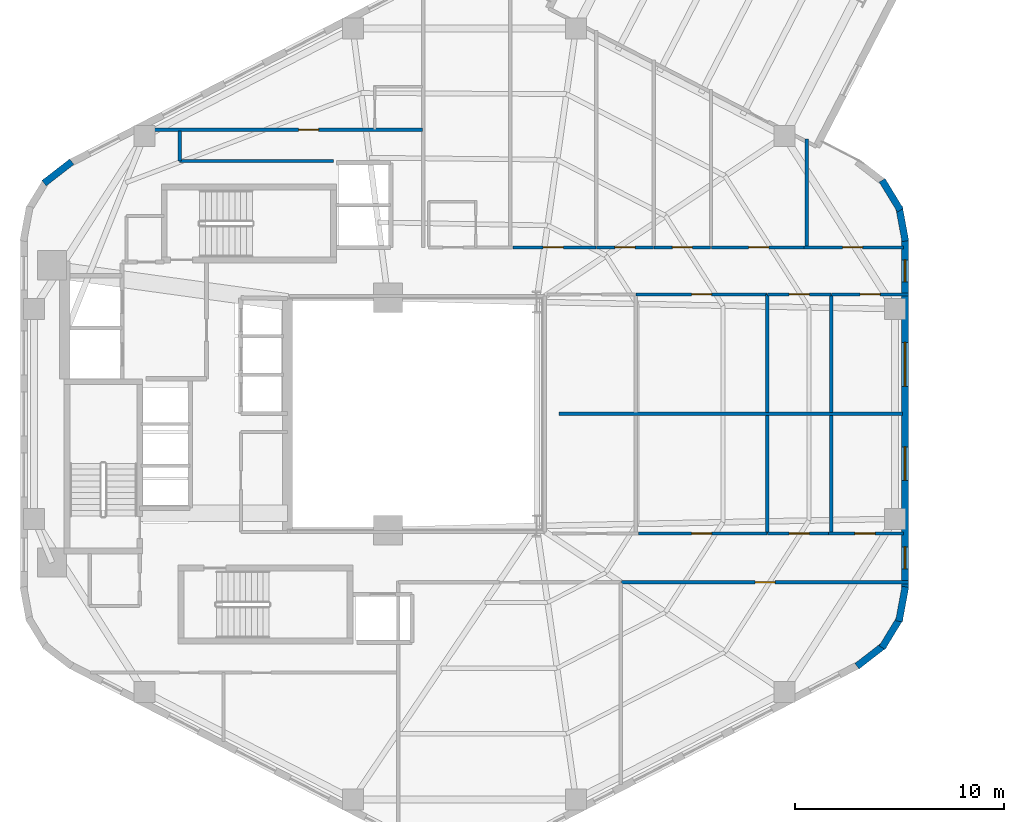
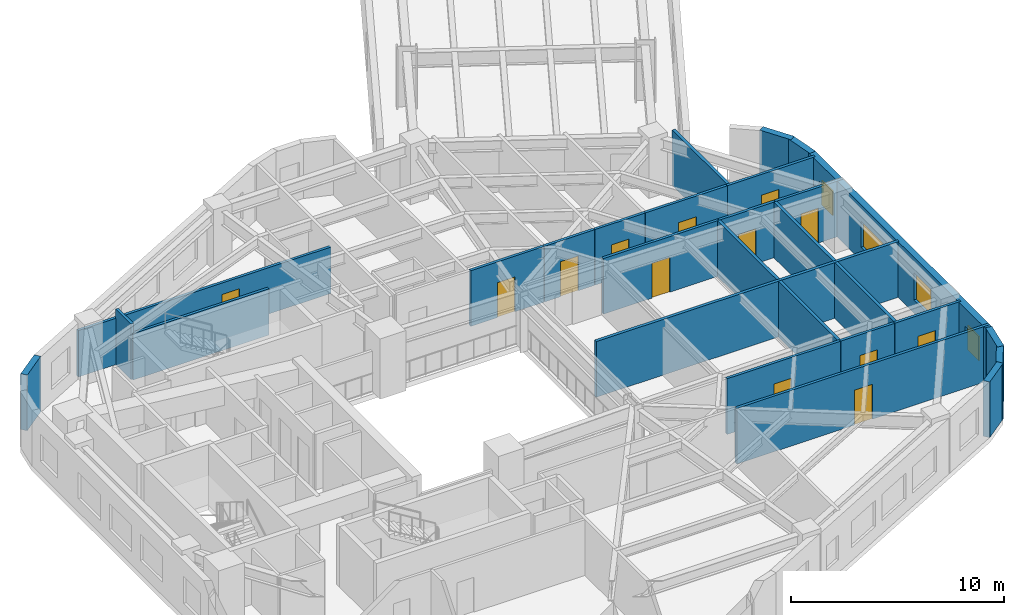
# One storey, part 7 of 11: 28 walls, 13 doors, 4 windows, 17 openings.
"""IFC4 building model written with IfcOpenShell, lengths in metres."""

from ifc_helpers import new_model, si_unit, direction, frame, frame_2d, origin, place, context, subcontext, project, spatial, rectangle, extrude, material, layer, layer_set, type_object, element, fill, save


model = new_model("IFC4")

# Units and contexts
model_context = context("Model", 3, precision=1e-05, world=origin(), true_north=direction((0.0, 1.0)))
body_context = subcontext(model_context, "Body", "Model", "MODEL_VIEW")
ifc_project = project(units=[si_unit("LENGTHUNIT", "METRE"), si_unit("AREAUNIT", "SQUARE_METRE"), si_unit("VOLUMEUNIT", "CUBIC_METRE"), si_unit("PLANEANGLEUNIT", "RADIAN"), si_unit("MASSUNIT", "GRAM", prefix="KILO"), si_unit("THERMODYNAMICTEMPERATUREUNIT", "KELVIN"), si_unit("POWERUNIT", "WATT")], contexts=[model_context])

# Site, building, storey
site_placement = place(None, origin())
site = spatial("IfcSite", under=ifc_project, at=site_placement, CompositionType="ELEMENT")
building_placement = place(site_placement, origin())
building = spatial("IfcBuilding", under=site, at=building_placement, Name="Skarre Station Tower", CompositionType="ELEMENT")
storey_placement = place(building_placement, frame((0.0, 0.0, 118.800048828125)))
storey = spatial("IfcBuildingStorey", under=building, at=storey_placement, Name="L31", CompositionType="ELEMENT", Elevation=118.800048828125)

# Wall, opening, door
ifc_material_1 = material(Name="Acoustic Steel-Stud Gypsum Partition", Category="steel")
ifc_layer_1 = layer(ifc_material_1, 0.14990234375, Name="Acoustic Steel-Stud Gypsum Partition")
ifc_layer_set_1 = layer_set([ifc_layer_1], Name="Acoustic Steel-Stud Gypsum Partition")
wall_type_1 = type_object("IfcWallType", Name="Fire-Rated Corridor Acoustic Partition 150", PredefinedType="PARTITIONING", material=ifc_layer_set_1)
wall_1_placement = place(storey_placement, frame((34.0, 37.580078125, 0.0), z_axis=(0.0, 0.0, 1.0), x_axis=(-1.0, 0.0, 0.0)))
wall_1 = element("IfcWall", 1, at=wall_1_placement, inside=storey, type_object=wall_type_1, Name="L31 Interior Partition WL-PT-L31-NWW1-CW", PredefinedType="PARTITIONING", context=body_context, shape_type="SweptSolid", body=[
    extrude(rectangle(XDim=13.70703125, YDim=0.14990234375, at=frame_2d((6.853515625, 0.0))), origin(), (0.0, 0.0, 1.0), 2.656982421875),
])
opening_1_placement = place(wall_1_placement, frame((4.9599609375, 0.0, 0.0)))
opening_1 = element("IfcOpeningElement", 2, at=opening_1_placement, cuts=wall_1, Name="Opening DR-FD60", PredefinedType="OPENING", context=body_context, shape_type="SweptSolid", body=[
    extrude(rectangle(XDim=0.9599609375, YDim=2.0, at=frame_2d((0.47998046875, 1.0))), frame((0.0, 0.0849609375, 0.0), z_axis=(0.0, -1.0, 0.0), x_axis=(1.0, 0.0, 0.0)), (0.0, 0.0, 1.0), 0.169921875),
])
ifc_material_2 = material(Name="Nordic White-Oak Veneer Solid-Core Fire Leaf", Category="wood")
door_type = type_object("IfcDoorType", Name="Corridor Suite Entry Fire Door FD60 960x2150", OperationType="SINGLE_SWING_LEFT", PredefinedType="DOOR", material=ifc_material_2)
door_1_placement = place(opening_1_placement, origin())
door_1 = element("IfcDoor", 3, at=door_1_placement, inside=storey, type_object=door_type, Name="L31 NWW1 Entry Door", OperationType="SINGLE_SWING_LEFT", OverallHeight=2.0, OverallWidth=0.9599609375, PredefinedType="DOOR", context=body_context, shape_type="SweptSolid", body=[
    extrude(rectangle(XDim=0.9599609375, YDim=2.0, at=frame_2d((0.47998046875, 1.0))), frame((0.0, 0.02490234375, 0.0), z_axis=(0.0, -1.0, 0.0), x_axis=(1.0, 0.0, 0.0)), (0.0, 0.0, 1.0), 0.050048828125),
])
fill(opening_1, door_1)

wall_2_placement = place(storey_placement, frame((42.285888671875, 31.9599609375, 0.0), z_axis=(0.0, 0.0, 1.0), x_axis=(-1.0, 0.0, 0.0)))
wall_2 = element("IfcWall", 4, at=wall_2_placement, inside=storey, type_object=wall_type_1, Name="L31 Interior Partition WL-PT-L31-NW2-CW", PredefinedType="PARTITIONING", context=body_context, shape_type="SweptSolid", body=[
    extrude(rectangle(XDim=3.96484375, YDim=0.14990234375, at=frame_2d((1.982421875, 0.0))), origin(), (0.0, 0.0, 1.0), 3.18994140625),
])
opening_2_placement = place(wall_2_placement, frame((1.56005859375, 0.0, 0.0)))
opening_2 = element("IfcOpeningElement", 5, at=opening_2_placement, cuts=wall_2, Name="Opening DR-FD60", PredefinedType="OPENING", context=body_context, shape_type="SweptSolid", body=[
    extrude(rectangle(XDim=0.9599609375, YDim=2.0, at=frame_2d((0.47998046875, 1.0))), frame((0.0, 0.0849609375, 0.0), z_axis=(0.0, -1.0, 0.0), x_axis=(1.0, 0.0, 0.0)), (0.0, 0.0, 1.0), 0.169921875),
])
door_2_placement = place(opening_2_placement, origin())
door_2 = element("IfcDoor", 6, at=door_2_placement, inside=storey, type_object=door_type, Name="L31 NW2 Entry Door", OperationType="SINGLE_SWING_LEFT", OverallHeight=2.0, OverallWidth=0.9599609375, PredefinedType="DOOR", context=body_context, shape_type="SweptSolid", body=[
    extrude(rectangle(XDim=0.9599609375, YDim=2.0, at=frame_2d((0.47998046875, 1.0))), frame((0.0, 0.02490234375, 0.0), z_axis=(0.0, -1.0, 0.0), x_axis=(1.0, 0.0, 0.0)), (0.0, 0.0, 1.0), 0.050048828125),
])
fill(opening_2, door_2)

wall_3_placement = place(storey_placement, frame((45.02587890625, 31.9599609375, 0.0), z_axis=(0.0, 0.0, 1.0), x_axis=(-1.0, 0.0, 0.0)))
wall_3 = element("IfcWall", 7, at=wall_3_placement, inside=storey, type_object=wall_type_1, Name="L31 Interior Partition WL-PT-L31-NW3-CW", PredefinedType="PARTITIONING", context=body_context, shape_type="SweptSolid", body=[
    extrude(rectangle(XDim=2.707763671875, YDim=0.14990234375, at=frame_2d((1.35400390625, 0.0))), origin(), (0.0, 0.0, 1.0), 3.18994140625),
])
opening_3_placement = place(wall_3_placement, frame((0.8740234375, 0.0, 0.0)))
opening_3 = element("IfcOpeningElement", 8, at=opening_3_placement, cuts=wall_3, Name="Opening DR-FD60", PredefinedType="OPENING", context=body_context, shape_type="SweptSolid", body=[
    extrude(rectangle(XDim=0.9599609375, YDim=2.0, at=frame_2d((0.47998046875, 1.0))), frame((0.0, 0.0849609375, 0.0), z_axis=(0.0, -1.0, 0.0), x_axis=(1.0, 0.0, 0.0)), (0.0, 0.0, 1.0), 0.169921875),
])
door_3_placement = place(opening_3_placement, origin())
door_3 = element("IfcDoor", 9, at=door_3_placement, inside=storey, type_object=door_type, Name="L31 NW3 Entry Door", OperationType="SINGLE_SWING_LEFT", OverallHeight=2.0, OverallWidth=0.9599609375, PredefinedType="DOOR", context=body_context, shape_type="SweptSolid", body=[
    extrude(rectangle(XDim=0.9599609375, YDim=2.0, at=frame_2d((0.47998046875, 1.0))), frame((0.0, 0.02490234375, 0.0), z_axis=(0.0, -1.0, 0.0), x_axis=(1.0, 0.0, 0.0)), (0.0, 0.0, 1.0), 0.050048828125),
])
fill(opening_3, door_3)

wall_4_placement = place(storey_placement, frame((47.76708984375, 31.9599609375, 0.0), z_axis=(0.0, 0.0, 1.0), x_axis=(-1.0, 0.0, 0.0)))
wall_4 = element("IfcWall", 10, at=wall_4_placement, inside=storey, type_object=wall_type_1, Name="L31 Interior Partition WL-PT-L31-NW4-CW", PredefinedType="PARTITIONING", context=body_context, shape_type="SweptSolid", body=[
    extrude(rectangle(XDim=2.708984375, YDim=0.14990234375, at=frame_2d((1.3544921875, 0.0))), origin(), (0.0, 0.0, 1.0), 3.18994140625),
])
opening_4_placement = place(wall_4_placement, frame((0.875, 0.0, 0.0)))
opening_4 = element("IfcOpeningElement", 11, at=opening_4_placement, cuts=wall_4, Name="Opening DR-FD60", PredefinedType="OPENING", context=body_context, shape_type="SweptSolid", body=[
    extrude(rectangle(XDim=0.9599609375, YDim=2.0, at=frame_2d((0.47998046875, 1.0))), frame((0.0, 0.0849609375, 0.0), z_axis=(0.0, -1.0, 0.0), x_axis=(1.0, 0.0, 0.0)), (0.0, 0.0, 1.0), 0.169921875),
])
door_4_placement = place(opening_4_placement, origin())
door_4 = element("IfcDoor", 12, at=door_4_placement, inside=storey, type_object=door_type, Name="L31 NW4 Entry Door", OperationType="SINGLE_SWING_LEFT", OverallHeight=2.0, OverallWidth=0.9599609375, PredefinedType="DOOR", context=body_context, shape_type="SweptSolid", body=[
    extrude(rectangle(XDim=0.9599609375, YDim=2.0, at=frame_2d((0.47998046875, 1.0))), frame((0.0, 0.02490234375, 0.0), z_axis=(0.0, -1.0, 0.0), x_axis=(1.0, 0.0, 0.0)), (0.0, 0.0, 1.0), 0.050048828125),
])
fill(opening_4, door_4)

wall_5_placement = place(storey_placement, frame((52.219970703125, 31.9599609375, 0.0), z_axis=(0.0, 0.0, 1.0), x_axis=(-1.0, 0.0, 0.0)))
wall_5 = element("IfcWall", 13, at=wall_5_placement, inside=storey, type_object=wall_type_1, Name="L31 Interior Partition WL-PT-L31-NW5-CW", PredefinedType="PARTITIONING", context=body_context, shape_type="SweptSolid", body=[
    extrude(rectangle(XDim=4.4208984375, YDim=0.14990234375, at=frame_2d((2.21044921875, 0.0))), origin(), (0.0, 0.0, 1.0), 3.18994140625),
])
opening_5_placement = place(wall_5_placement, frame((1.674072265625, 0.0, 0.0)))
opening_5 = element("IfcOpeningElement", 14, at=opening_5_placement, cuts=wall_5, Name="Opening DR-FD60", PredefinedType="OPENING", context=body_context, shape_type="SweptSolid", body=[
    extrude(rectangle(XDim=0.9599609375, YDim=2.0, at=frame_2d((0.47998046875, 1.0))), frame((0.0, 0.0849609375, 0.0), z_axis=(0.0, -1.0, 0.0), x_axis=(1.0, 0.0, 0.0)), (0.0, 0.0, 1.0), 0.169921875),
])
door_5_placement = place(opening_5_placement, origin())
door_5 = element("IfcDoor", 15, at=door_5_placement, inside=storey, type_object=door_type, Name="L31 NW5 Entry Door", OperationType="SINGLE_SWING_LEFT", OverallHeight=2.0, OverallWidth=0.9599609375, PredefinedType="DOOR", context=body_context, shape_type="SweptSolid", body=[
    extrude(rectangle(XDim=0.9599609375, YDim=2.0, at=frame_2d((0.47998046875, 1.0))), frame((0.0, 0.02490234375, 0.0), z_axis=(0.0, -1.0, 0.0), x_axis=(1.0, 0.0, 0.0)), (0.0, 0.0, 1.0), 0.050048828125),
])
fill(opening_5, door_5)

wall_6_placement = place(storey_placement, frame((56.987060546875, 31.9599609375, 0.0), z_axis=(0.0, 0.0, 1.0), x_axis=(-1.0, 0.0, 0.0)))
wall_6 = element("IfcWall", 16, at=wall_6_placement, inside=storey, type_object=wall_type_1, Name="L31 Interior Partition WL-PT-L31-NW6-CW", PredefinedType="PARTITIONING", context=body_context, shape_type="SweptSolid", body=[
    extrude(rectangle(XDim=4.757080078125, YDim=0.14990234375, at=frame_2d((2.37841796875, 0.0))), origin(), (0.0, 0.0, 1.0), 3.18994140625),
])
opening_6_placement = place(wall_6_placement, frame((1.9560546875, 0.0, 0.0)))
opening_6 = element("IfcOpeningElement", 17, at=opening_6_placement, cuts=wall_6, Name="Opening DR-FD60", PredefinedType="OPENING", context=body_context, shape_type="SweptSolid", body=[
    extrude(rectangle(XDim=0.9599609375, YDim=2.0, at=frame_2d((0.47998046875, 1.0))), frame((0.0, 0.0849609375, 0.0), z_axis=(0.0, -1.0, 0.0), x_axis=(1.0, 0.0, 0.0)), (0.0, 0.0, 1.0), 0.169921875),
])
door_6_placement = place(opening_6_placement, origin())
door_6 = element("IfcDoor", 18, at=door_6_placement, inside=storey, type_object=door_type, Name="L31 NW6 Entry Door", OperationType="SINGLE_SWING_LEFT", OverallHeight=2.0, OverallWidth=0.9599609375, PredefinedType="DOOR", context=body_context, shape_type="SweptSolid", body=[
    extrude(rectangle(XDim=0.9599609375, YDim=2.0, at=frame_2d((0.47998046875, 1.0))), frame((0.0, 0.02490234375, 0.0), z_axis=(0.0, -1.0, 0.0), x_axis=(1.0, 0.0, 0.0)), (0.0, 0.0, 1.0), 0.050048828125),
])
fill(opening_6, door_6)

wall_7_placement = place(storey_placement, frame((44.20703125, 29.7099609375, 0.0), z_axis=(0.0, 0.0, 1.0), x_axis=(1.0, 0.0, 0.0)))
wall_7 = element("IfcWall", 19, at=wall_7_placement, inside=storey, type_object=wall_type_1, Name="L31 Interior Partition WL-PT-L31-EWN2-CW", PredefinedType="PARTITIONING", context=body_context, shape_type="SweptSolid", body=[
    extrude(rectangle(XDim=6.248046875, YDim=0.14990234375, at=frame_2d((3.1240234375, 0.0))), origin(), (0.0, 0.0, 1.0), 3.18994140625),
])
opening_7_placement = place(wall_7_placement, frame((2.64404296875, 0.0, 0.0)))
opening_7 = element("IfcOpeningElement", 20, at=opening_7_placement, cuts=wall_7, Name="Opening DR-FD60", PredefinedType="OPENING", context=body_context, shape_type="SweptSolid", body=[
    extrude(rectangle(XDim=0.9599609375, YDim=2.0, at=frame_2d((0.47998046875, 1.0))), frame((0.0, 0.0849609375, 0.0), z_axis=(0.0, -1.0, 0.0), x_axis=(1.0, 0.0, 0.0)), (0.0, 0.0, 1.0), 0.169921875),
])
door_7_placement = place(opening_7_placement, origin())
door_7 = element("IfcDoor", 21, at=door_7_placement, inside=storey, type_object=door_type, Name="L31 EWN2 Entry Door", OperationType="SINGLE_SWING_LEFT", OverallHeight=2.0, OverallWidth=0.9599609375, PredefinedType="DOOR", context=body_context, shape_type="SweptSolid", body=[
    extrude(rectangle(XDim=0.9599609375, YDim=2.0, at=frame_2d((0.47998046875, 1.0))), frame((0.0, 0.02490234375, 0.0), z_axis=(0.0, -1.0, 0.0), x_axis=(1.0, 0.0, 0.0)), (0.0, 0.0, 1.0), 0.050048828125),
])
fill(opening_7, door_7)

wall_8_placement = place(storey_placement, frame((50.485107421875, 29.7099609375, 0.0), z_axis=(0.0, 0.0, 1.0), x_axis=(1.0, 0.0, 0.0)))
wall_8 = element("IfcWall", 22, at=wall_8_placement, inside=storey, type_object=wall_type_1, Name="L31 Interior Partition WL-PT-L31-EWN3-CW", PredefinedType="PARTITIONING", context=body_context, shape_type="SweptSolid", body=[
    extrude(rectangle(XDim=3.02392578125, YDim=0.14990234375, at=frame_2d((1.511962890625, 0.0))), origin(), (0.0, 0.0, 1.0), 3.18994140625),
])
opening_8_placement = place(wall_8_placement, frame((1.031982421875, 0.0, 0.0)))
opening_8 = element("IfcOpeningElement", 23, at=opening_8_placement, cuts=wall_8, Name="Opening DR-FD60", PredefinedType="OPENING", context=body_context, shape_type="SweptSolid", body=[
    extrude(rectangle(XDim=0.9599609375, YDim=2.0, at=frame_2d((0.47998046875, 1.0))), frame((0.0, 0.0849609375, 0.0), z_axis=(0.0, -1.0, 0.0), x_axis=(1.0, 0.0, 0.0)), (0.0, 0.0, 1.0), 0.169921875),
])
door_8_placement = place(opening_8_placement, origin())
door_8 = element("IfcDoor", 24, at=door_8_placement, inside=storey, type_object=door_type, Name="L31 EWN3 Entry Door", OperationType="SINGLE_SWING_LEFT", OverallHeight=2.0, OverallWidth=0.9599609375, PredefinedType="DOOR", context=body_context, shape_type="SweptSolid", body=[
    extrude(rectangle(XDim=0.9599609375, YDim=2.0, at=frame_2d((0.47998046875, 1.0))), frame((0.0, 0.02490234375, 0.0), z_axis=(0.0, -1.0, 0.0), x_axis=(1.0, 0.0, 0.0)), (0.0, 0.0, 1.0), 0.050048828125),
])
fill(opening_8, door_8)

wall_9_placement = place(storey_placement, frame((53.5390625, 29.7099609375, 0.0), z_axis=(0.0, 0.0, 1.0), x_axis=(1.0, 0.0, 0.0)))
wall_9 = element("IfcWall", 25, at=wall_9_placement, inside=storey, type_object=wall_type_1, Name="L31 Interior Partition WL-PT-L31-EWN4-CW", PredefinedType="PARTITIONING", context=body_context, shape_type="SweptSolid", body=[
    extrude(rectangle(XDim=3.6689453125, YDim=0.14990234375, at=frame_2d((1.83447265625, 0.0))), origin(), (0.0, 0.0, 1.0), 3.18994140625),
])
opening_9_placement = place(wall_9_placement, frame((1.368896484375, 0.0, 0.0)))
opening_9 = element("IfcOpeningElement", 26, at=opening_9_placement, cuts=wall_9, Name="Opening DR-FD60", PredefinedType="OPENING", context=body_context, shape_type="SweptSolid", body=[
    extrude(rectangle(XDim=0.9599609375, YDim=2.0, at=frame_2d((0.47998046875, 1.0))), frame((0.0, 0.0849609375, 0.0), z_axis=(0.0, -1.0, 0.0), x_axis=(1.0, 0.0, 0.0)), (0.0, 0.0, 1.0), 0.169921875),
])
door_9_placement = place(opening_9_placement, origin())
door_9 = element("IfcDoor", 27, at=door_9_placement, inside=storey, type_object=door_type, Name="L31 EWN4 Entry Door", OperationType="SINGLE_SWING_LEFT", OverallHeight=2.0, OverallWidth=0.9599609375, PredefinedType="DOOR", context=body_context, shape_type="SweptSolid", body=[
    extrude(rectangle(XDim=0.9599609375, YDim=2.0, at=frame_2d((0.47998046875, 1.0))), frame((0.0, 0.02490234375, 0.0), z_axis=(0.0, -1.0, 0.0), x_axis=(1.0, 0.0, 0.0)), (0.0, 0.0, 1.0), 0.050048828125),
])
fill(opening_9, door_9)

wall_10_placement = place(storey_placement, frame((50.455078125, 18.2900390625, 0.0), z_axis=(0.0, 0.0, 1.0), x_axis=(-1.0, 0.0, 0.0)))
wall_10 = element("IfcWall", 28, at=wall_10_placement, inside=storey, type_object=wall_type_1, Name="L31 Interior Partition WL-PT-L31-EWS2-CW", PredefinedType="PARTITIONING", context=body_context, shape_type="SweptSolid", body=[
    extrude(rectangle(XDim=6.133056640625, YDim=0.14990234375, at=frame_2d((3.06640625, 0.0))), origin(), (0.0, 0.0, 1.0), 3.18994140625),
])
opening_10_placement = place(wall_10_placement, frame((2.64404296875, 0.0, 0.0)))
opening_10 = element("IfcOpeningElement", 29, at=opening_10_placement, cuts=wall_10, Name="Opening DR-FD60", PredefinedType="OPENING", context=body_context, shape_type="SweptSolid", body=[
    extrude(rectangle(XDim=0.9599609375, YDim=2.0, at=frame_2d((0.47998046875, 1.0))), frame((0.0, 0.0849609375, 0.0), z_axis=(0.0, -1.0, 0.0), x_axis=(1.0, 0.0, 0.0)), (0.0, 0.0, 1.0), 0.169921875),
])
door_10_placement = place(opening_10_placement, origin())
door_10 = element("IfcDoor", 30, at=door_10_placement, inside=storey, type_object=door_type, Name="L31 EWS2 Entry Door", OperationType="SINGLE_SWING_LEFT", OverallHeight=2.0, OverallWidth=0.9599609375, PredefinedType="DOOR", context=body_context, shape_type="SweptSolid", body=[
    extrude(rectangle(XDim=0.9599609375, YDim=2.0, at=frame_2d((0.47998046875, 1.0))), frame((0.0, 0.02490234375, 0.0), z_axis=(0.0, -1.0, 0.0), x_axis=(1.0, 0.0, 0.0)), (0.0, 0.0, 1.0), 0.050048828125),
])
fill(opening_10, door_10)

wall_11_placement = place(storey_placement, frame((53.39404296875, 18.2900390625, 0.0), z_axis=(0.0, 0.0, 1.0), x_axis=(-1.0, 0.0, 0.0)))
wall_11 = element("IfcWall", 31, at=wall_11_placement, inside=storey, type_object=wall_type_1, Name="L31 Interior Partition WL-PT-L31-EWS3-CW", PredefinedType="PARTITIONING", context=body_context, shape_type="SweptSolid", body=[
    extrude(rectangle(XDim=2.908935546875, YDim=0.14990234375, at=frame_2d((1.45458984375, 0.0))), origin(), (0.0, 0.0, 1.0), 3.18994140625),
])
opening_11_placement = place(wall_11_placement, frame((0.9169921875, 0.0, 0.0)))
opening_11 = element("IfcOpeningElement", 32, at=opening_11_placement, cuts=wall_11, Name="Opening DR-FD60", PredefinedType="OPENING", context=body_context, shape_type="SweptSolid", body=[
    extrude(rectangle(XDim=0.9599609375, YDim=2.0, at=frame_2d((0.47998046875, 1.0))), frame((0.0, 0.0849609375, 0.0), z_axis=(0.0, -1.0, 0.0), x_axis=(1.0, 0.0, 0.0)), (0.0, 0.0, 1.0), 0.169921875),
])
door_11_placement = place(opening_11_placement, origin())
door_11 = element("IfcDoor", 33, at=door_11_placement, inside=storey, type_object=door_type, Name="L31 EWS3 Entry Door", OperationType="SINGLE_SWING_LEFT", OverallHeight=2.0, OverallWidth=0.9599609375, PredefinedType="DOOR", context=body_context, shape_type="SweptSolid", body=[
    extrude(rectangle(XDim=0.9599609375, YDim=2.0, at=frame_2d((0.47998046875, 1.0))), frame((0.0, 0.02490234375, 0.0), z_axis=(0.0, -1.0, 0.0), x_axis=(1.0, 0.0, 0.0)), (0.0, 0.0, 1.0), 0.050048828125),
])
fill(opening_11, door_11)

wall_12_placement = place(storey_placement, frame((56.988037109375, 18.2900390625, 0.0), z_axis=(0.0, 0.0, 1.0), x_axis=(-1.0, 0.0, 0.0)))
wall_12 = element("IfcWall", 34, at=wall_12_placement, inside=storey, type_object=wall_type_1, Name="L31 Interior Partition WL-PT-L31-EWS4-CW", PredefinedType="PARTITIONING", context=body_context, shape_type="SweptSolid", body=[
    extrude(rectangle(XDim=3.583984375, YDim=0.14990234375, at=frame_2d((1.7919921875, 0.0))), origin(), (0.0, 0.0, 1.0), 3.18994140625),
])
opening_12_placement = place(wall_12_placement, frame((1.368896484375, 0.0, 0.0)))
opening_12 = element("IfcOpeningElement", 35, at=opening_12_placement, cuts=wall_12, Name="Opening DR-FD60", PredefinedType="OPENING", context=body_context, shape_type="SweptSolid", body=[
    extrude(rectangle(XDim=0.9599609375, YDim=2.0, at=frame_2d((0.47998046875, 1.0))), frame((0.0, 0.0849609375, 0.0), z_axis=(0.0, -1.0, 0.0), x_axis=(1.0, 0.0, 0.0)), (0.0, 0.0, 1.0), 0.169921875),
])
door_12_placement = place(opening_12_placement, origin())
door_12 = element("IfcDoor", 36, at=door_12_placement, inside=storey, type_object=door_type, Name="L31 EWS4 Entry Door", OperationType="SINGLE_SWING_LEFT", OverallHeight=2.0, OverallWidth=0.9599609375, PredefinedType="DOOR", context=body_context, shape_type="SweptSolid", body=[
    extrude(rectangle(XDim=0.9599609375, YDim=2.0, at=frame_2d((0.47998046875, 1.0))), frame((0.0, 0.02490234375, 0.0), z_axis=(0.0, -1.0, 0.0), x_axis=(1.0, 0.0, 0.0)), (0.0, 0.0, 1.0), 0.050048828125),
])
fill(opening_12, door_12)

wall_13_placement = place(storey_placement, frame((43.4970703125, 15.9599609375, 0.0), z_axis=(0.0, 0.0, 1.0), x_axis=(1.0, 0.0, 0.0)))
wall_13 = element("IfcWall", 37, at=wall_13_placement, inside=storey, type_object=wall_type_1, Name="L31 Interior Partition WL-PT-L31-SW2-CW", PredefinedType="PARTITIONING", context=body_context, shape_type="SweptSolid", body=[
    extrude(rectangle(XDim=13.7109375, YDim=0.14990234375, at=frame_2d((6.85546875, 0.0))), origin(), (0.0, 0.0, 1.0), 3.18994140625),
])
opening_13_placement = place(wall_13_placement, frame((6.388916015625, 0.0, 0.0)))
opening_13 = element("IfcOpeningElement", 38, at=opening_13_placement, cuts=wall_13, Name="Opening DR-FD60", PredefinedType="OPENING", context=body_context, shape_type="SweptSolid", body=[
    extrude(rectangle(XDim=0.9599609375, YDim=2.0, at=frame_2d((0.47998046875, 1.0))), frame((0.0, 0.0849609375, 0.0), z_axis=(0.0, -1.0, 0.0), x_axis=(1.0, 0.0, 0.0)), (0.0, 0.0, 1.0), 0.169921875),
])
door_13_placement = place(opening_13_placement, origin())
door_13 = element("IfcDoor", 39, at=door_13_placement, inside=storey, type_object=door_type, Name="L31 SW2 Entry Door", OperationType="SINGLE_SWING_LEFT", OverallHeight=2.0, OverallWidth=0.9599609375, PredefinedType="DOOR", context=body_context, shape_type="SweptSolid", body=[
    extrude(rectangle(XDim=0.9599609375, YDim=2.0, at=frame_2d((0.47998046875, 1.0))), frame((0.0, 0.02490234375, 0.0), z_axis=(0.0, -1.0, 0.0), x_axis=(1.0, 0.0, 0.0)), (0.0, 0.0, 1.0), 0.050048828125),
])
fill(opening_13, door_13)

# Walls
wall_14_placement = place(storey_placement, frame((29.7529296875, 36.080078125, 0.0), z_axis=(0.0, 0.0, 1.0), x_axis=(-1.0, 0.0, 0.0)))
element("IfcWall", 40, at=wall_14_placement, inside=storey, type_object=wall_type_1, Name="L31 Interior Partition WL-PT-L31-CSEAL-1", PredefinedType="PARTITIONING", context=body_context, shape_type="SweptSolid", body=[
    extrude(rectangle(XDim=7.35302734375, YDim=0.14990234375, at=frame_2d((3.676513671875, 0.0))), origin(), (0.0, 0.0, 1.0), 2.656982421875),
])
wall_15_placement = place(storey_placement, frame((22.39990234375, 36.080078125, 0.0), z_axis=(0.0, 0.0, 1.0), x_axis=(0.0, 1.0, 0.0)))
element("IfcWall", 41, at=wall_15_placement, inside=storey, type_object=wall_type_1, Name="L31 Interior Partition WL-PT-L31-CSEAL-2", PredefinedType="PARTITIONING", context=body_context, shape_type="SweptSolid", body=[
    extrude(rectangle(XDim=1.429931640625, YDim=0.14990234375, at=frame_2d((0.71484375, 0.0))), origin(), (0.0, 0.0, 1.0), 3.18994140625),
])

# Wall, openings, windows
ifc_material_3 = material(Name="Precast concrete C45/55", Category="concrete")
ifc_layer_2 = layer(ifc_material_3, 0.340087890625, Name="Precast concrete C45/55")
ifc_layer_set_2 = layer_set([ifc_layer_2], Name="Precast concrete C45/55")
wall_type_2 = type_object("IfcWallType", Name="Nordic Honed Precast Facet Wall 340", PredefinedType="STANDARD", material=ifc_layer_set_2)
wall_16_placement = place(storey_placement, frame((57.048095703125, 32.35205078125, 0.0), z_axis=(0.0, 0.0, 1.0), x_axis=(0.0, -1.0, 0.0)))
wall_16 = element("IfcWall", 42, at=wall_16_placement, inside=storey, type_object=wall_type_2, Name="L31 Facet 5 Nordic Precast Masonry Wall", PredefinedType="STANDARD", context=body_context, shape_type="SweptSolid", body=[
    extrude(rectangle(XDim=16.7041015625, YDim=0.340087890625, at=frame_2d((8.35205078125, 0.0))), origin(), (0.0, 0.0, 1.0), 3.18994140625),
])
opening_14_placement = place(wall_16_placement, frame((0.991943359375, 0.0, 0.75)))
opening_14 = element("IfcOpeningElement", 43, at=opening_14_placement, cuts=wall_16, Name="Opening WN-SLT", PredefinedType="OPENING", context=body_context, shape_type="SweptSolid", body=[
    extrude(rectangle(XDim=1.050048828125, YDim=1.39990234375, at=frame_2d((0.52490234375, 0.699951171875))), frame((0.0, 0.179931640625, 0.0), z_axis=(0.0, -1.0, 0.0), x_axis=(1.0, 0.0, 0.0)), (0.0, 0.0, 1.0), 0.360107421875),
])
opening_15_placement = place(wall_16_placement, frame((4.93505859375, 0.0, 0.75)))
opening_15 = element("IfcOpeningElement", 44, at=opening_15_placement, cuts=wall_16, Name="Opening WN-Z2B", PredefinedType="OPENING", context=body_context, shape_type="SweptSolid", body=[
    extrude(rectangle(XDim=2.10009765625, YDim=1.5, at=frame_2d((1.050048828125, 0.75))), frame((0.0, 0.179931640625, 0.0), z_axis=(0.0, -1.0, 0.0), x_axis=(1.0, 0.0, 0.0)), (0.0, 0.0, 1.0), 0.360107421875),
])
opening_16_placement = place(wall_16_placement, frame((9.9189453125, 0.0, 0.75)))
opening_16 = element("IfcOpeningElement", 45, at=opening_16_placement, cuts=wall_16, Name="Opening WN-Z2A", PredefinedType="OPENING", context=body_context, shape_type="SweptSolid", body=[
    extrude(rectangle(XDim=1.60009765625, YDim=1.550048828125, at=frame_2d((0.800048828125, 0.77490234375))), frame((0.0, 0.179931640625, 0.0), z_axis=(0.0, -1.0, 0.0), x_axis=(1.0, 0.0, 0.0)), (0.0, 0.0, 1.0), 0.360107421875),
])
opening_17_placement = place(wall_16_placement, frame((14.701904296875, 0.0, 0.75)))
opening_17 = element("IfcOpeningElement", 46, at=opening_17_placement, cuts=wall_16, Name="Opening WN-SLT", PredefinedType="OPENING", context=body_context, shape_type="SweptSolid", body=[
    extrude(rectangle(XDim=1.050048828125, YDim=1.39990234375, at=frame_2d((0.52490234375, 0.699951171875))), frame((0.0, 0.179931640625, 0.0), z_axis=(0.0, -1.0, 0.0), x_axis=(1.0, 0.0, 0.0)), (0.0, 0.0, 1.0), 0.360107421875),
])
ifc_material_4 = material(Name="Low-Iron Triple Glazing with Bronze Anodized Frame", Category="glass")
window_type_1 = type_object("IfcWindowType", Name="Nordic Corner Slot Window 1050x1400", PartitioningType="SINGLE_PANEL", PredefinedType="WINDOW", material=ifc_material_4)
window_1_placement = place(opening_14_placement, origin())
window_1 = element("IfcWindow", 47, at=window_1_placement, inside=storey, type_object=window_type_1, Name="L31 Facade Window WL-FAC-L31-F5-1", OverallHeight=1.39990234375, OverallWidth=1.050048828125, PartitioningType="SINGLE_PANEL", PredefinedType="WINDOW", context=body_context, shape_type="SweptSolid", body=[
    extrude(rectangle(XDim=1.050048828125, YDim=1.39990234375, at=frame_2d((0.52490234375, 0.699951171875))), frame((0.0, 0.030029296875, 0.0), z_axis=(0.0, -1.0, 0.0), x_axis=(1.0, 0.0, 0.0)), (0.0, 0.0, 1.0), 0.06005859375),
])
fill(opening_14, window_1)
window_2_placement = place(opening_17_placement, origin())
window_2 = element("IfcWindow", 48, at=window_2_placement, inside=storey, type_object=window_type_1, Name="L31 Facade Window WL-FAC-L31-F5-4", OverallHeight=1.39990234375, OverallWidth=1.050048828125, PartitioningType="SINGLE_PANEL", PredefinedType="WINDOW", context=body_context, shape_type="SweptSolid", body=[
    extrude(rectangle(XDim=1.050048828125, YDim=1.39990234375, at=frame_2d((0.52490234375, 0.699951171875))), frame((0.0, 0.030029296875, 0.0), z_axis=(0.0, -1.0, 0.0), x_axis=(1.0, 0.0, 0.0)), (0.0, 0.0, 1.0), 0.06005859375),
])
fill(opening_17, window_2)
window_type_2 = type_object("IfcWindowType", Name="Nordic Residential Tall Window 1600x1550", PartitioningType="SINGLE_PANEL", PredefinedType="WINDOW", material=ifc_material_4)
window_3_placement = place(opening_16_placement, origin())
window_3 = element("IfcWindow", 49, at=window_3_placement, inside=storey, type_object=window_type_2, Name="L31 Facade Window WL-FAC-L31-F5-3", OverallHeight=1.550048828125, OverallWidth=1.60009765625, PartitioningType="SINGLE_PANEL", PredefinedType="WINDOW", context=body_context, shape_type="SweptSolid", body=[
    extrude(rectangle(XDim=1.60009765625, YDim=1.550048828125, at=frame_2d((0.800048828125, 0.77490234375))), frame((0.0, 0.030029296875, 0.0), z_axis=(0.0, -1.0, 0.0), x_axis=(1.0, 0.0, 0.0)), (0.0, 0.0, 1.0), 0.06005859375),
])
fill(opening_16, window_3)
window_type_3 = type_object("IfcWindowType", Name="Nordic Residential Twin Window 2100x1500", PartitioningType="SINGLE_PANEL", PredefinedType="WINDOW", material=ifc_material_4)
window_4_placement = place(opening_15_placement, origin())
window_4 = element("IfcWindow", 50, at=window_4_placement, inside=storey, type_object=window_type_3, Name="L31 Facade Window WL-FAC-L31-F5-2", OverallHeight=1.5, OverallWidth=2.10009765625, PartitioningType="SINGLE_PANEL", PredefinedType="WINDOW", context=body_context, shape_type="SweptSolid", body=[
    extrude(rectangle(XDim=2.10009765625, YDim=1.5, at=frame_2d((1.050048828125, 0.75))), frame((0.0, 0.030029296875, 0.0), z_axis=(0.0, -1.0, 0.0), x_axis=(1.0, 0.0, 0.0)), (0.0, 0.0, 1.0), 0.06005859375),
])
fill(opening_15, window_4)

# Walls
ifc_layer_3 = layer(ifc_material_3, 0.330078125, Name="Precast concrete C45/55")
ifc_layer_set_3 = layer_set([ifc_layer_3], Name="Precast concrete C45/55")
wall_type_3 = type_object("IfcWallType", Name="Nordic Rounded Corner Precast Wall 330", PredefinedType="STANDARD", material=ifc_layer_set_3)
wall_17_placement = place(storey_placement, frame((55.95703125, 35.1640625, 0.0), z_axis=(0.0, 0.0, 1.0), x_axis=(0.520519429557, -0.853849824883, 0.0)))
element("IfcWall", 51, at=wall_17_placement, inside=storey, type_object=wall_type_3, Name="L31 Rounded Corner Precast Wall F0-2", PredefinedType="STANDARD", context=body_context, shape_type="SweptSolid", body=[
    extrude(rectangle(XDim=1.67724609375, YDim=0.330078125, at=frame_2d((0.838623046875, 0.0))), origin(), (0.0, 0.0, 1.0), 3.18994140625),
])
wall_18_placement = place(storey_placement, frame((56.762939453125, 33.906982421875, 0.0), z_axis=(0.0, 0.0, 1.0), x_axis=(0.181984991895, -0.983301308209, 0.0)))
element("IfcWall", 52, at=wall_18_placement, inside=storey, type_object=wall_type_3, Name="L31 Rounded Corner Precast Wall F0-3", PredefinedType="STANDARD", context=body_context, shape_type="SweptSolid", body=[
    extrude(rectangle(XDim=1.677001953125, YDim=0.330078125, at=frame_2d((0.83837890625, 0.0))), origin(), (0.0, 0.0, 1.0), 3.18994140625),
])
wall_19_placement = place(storey_placement, frame((15.91796875, 35.02392578125, 0.0), z_axis=(0.0, 0.0, 1.0), x_axis=(0.790621329885, 0.612305408053, 0.0)))
element("IfcWall", 53, at=wall_19_placement, inside=storey, type_object=wall_type_3, Name="L31 Rounded Corner Precast Wall F2-3", PredefinedType="STANDARD", context=body_context, shape_type="SweptSolid", body=[
    extrude(rectangle(XDim=1.67578125, YDim=0.330078125, at=frame_2d((0.837890625, 0.0))), origin(), (0.0, 0.0, 1.0), 3.18994140625),
])
wall_20_placement = place(storey_placement, frame((57.068115234375, 15.741943359375, 0.0), z_axis=(0.0, 0.0, 1.0), x_axis=(-0.181984991895, -0.983301308209, 0.0)))
element("IfcWall", 54, at=wall_20_placement, inside=storey, type_object=wall_type_3, Name="L31 Rounded Corner Precast Wall F5-1", PredefinedType="STANDARD", context=body_context, shape_type="SweptSolid", body=[
    extrude(rectangle(XDim=1.677001953125, YDim=0.330078125, at=frame_2d((0.83837890625, 0.0))), origin(), (0.0, 0.0, 1.0), 3.18994140625),
])
wall_21_placement = place(storey_placement, frame((56.830078125, 14.26806640625, 0.0), z_axis=(0.0, 0.0, 1.0), x_axis=(-0.520519429557, -0.853849824883, 0.0)))
element("IfcWall", 55, at=wall_21_placement, inside=storey, type_object=wall_type_3, Name="L31 Rounded Corner Precast Wall F5-2", PredefinedType="STANDARD", context=body_context, shape_type="SweptSolid", body=[
    extrude(rectangle(XDim=1.67724609375, YDim=0.330078125, at=frame_2d((0.838623046875, 0.0))), origin(), (0.0, 0.0, 1.0), 3.18994140625),
])
wall_22_placement = place(storey_placement, frame((56.08203125, 12.97607421875, 0.0), z_axis=(0.0, 0.0, 1.0), x_axis=(-0.790621329885, -0.612305408053, 0.0)))
element("IfcWall", 56, at=wall_22_placement, inside=storey, type_object=wall_type_3, Name="L31 Rounded Corner Precast Wall F5-3", PredefinedType="STANDARD", context=body_context, shape_type="SweptSolid", body=[
    extrude(rectangle(XDim=1.67578125, YDim=0.330078125, at=frame_2d((0.837890625, 0.0))), origin(), (0.0, 0.0, 1.0), 3.18994140625),
])
ifc_layer_4 = layer(ifc_material_1, 0.1650390625, Name="Acoustic Steel-Stud Gypsum Partition")
ifc_layer_set_4 = layer_set([ifc_layer_4], Name="Acoustic Steel-Stud Gypsum Partition")
wall_type_4 = type_object("IfcWallType", Name="Suite Demising Acoustic Partition 165", PredefinedType="PARTITIONING", material=ifc_layer_set_4)
wall_23_placement = place(storey_placement, frame((52.35009765625, 31.969970703125, 0.0), z_axis=(0.0, 0.0, 1.0), x_axis=(0.0, 1.0, 0.0)))
element("IfcWall", 57, at=wall_23_placement, inside=storey, type_object=wall_type_4, Name="L31 Interior Partition WL-PT-L31-NW-P5", PredefinedType="PARTITIONING", context=body_context, shape_type="SweptSolid", body=[
    extrude(rectangle(XDim=5.1650390625, YDim=0.1650390625, at=frame_2d((2.58251953125, 0.0))), origin(), (0.0, 0.0, 1.0), 3.18994140625),
])
wall_24_placement = place(storey_placement, frame((40.52001953125, 24.0, 0.0), z_axis=(0.0, 0.0, 1.0), x_axis=(1.0, 0.0, 0.0)))
element("IfcWall", 58, at=wall_24_placement, inside=storey, type_object=wall_type_4, Name="L31 Interior Partition WL-PT-L31-EW-Z2MID", PredefinedType="PARTITIONING", context=body_context, shape_type="SweptSolid", body=[
    extrude(rectangle(XDim=16.407958984375, YDim=0.1650390625, at=frame_2d((8.2041015625, 0.0))), origin(), (0.0, 0.0, 1.0), 3.18994140625),
])
for number, where, z_axis, x_axis, name in (
    (59, (50.469970703125, 24.070068359375, 0.0), (0.0, 0.0, 1.0), (0.0, 1.0, 0.0), "L31 Interior Partition WL-PT-L31-EWN-P2"),
    (60, (53.52392578125, 24.070068359375, 0.0), (0.0, 0.0, 1.0), (0.0, 1.0, 0.0), "L31 Interior Partition WL-PT-L31-EWN-P3"),
    (61, (50.469970703125, 18.2900390625, 0.0), (0.0, 0.0, 1.0), (0.0, 1.0, 0.0), "L31 Interior Partition WL-PT-L31-EWS-P2"),
    (62, (53.52392578125, 18.2900390625, 0.0), (0.0, 0.0, 1.0), (0.0, 1.0, 0.0), "L31 Interior Partition WL-PT-L31-EWS-P3"),
):
    element("IfcWall", number, at=place(storey_placement, frame(where, z_axis=z_axis, x_axis=x_axis)), inside=storey, type_object=wall_type_4, Name=name, PredefinedType="PARTITIONING", context=body_context, shape_type="SweptSolid", body=[
        extrude(rectangle(XDim=5.639892578125, YDim=0.1650390625, at=frame_2d((2.81982421875, 0.0))), origin(), (0.0, 0.0, 1.0), 3.18994140625),
    ])

save(model, "model.ifc")
